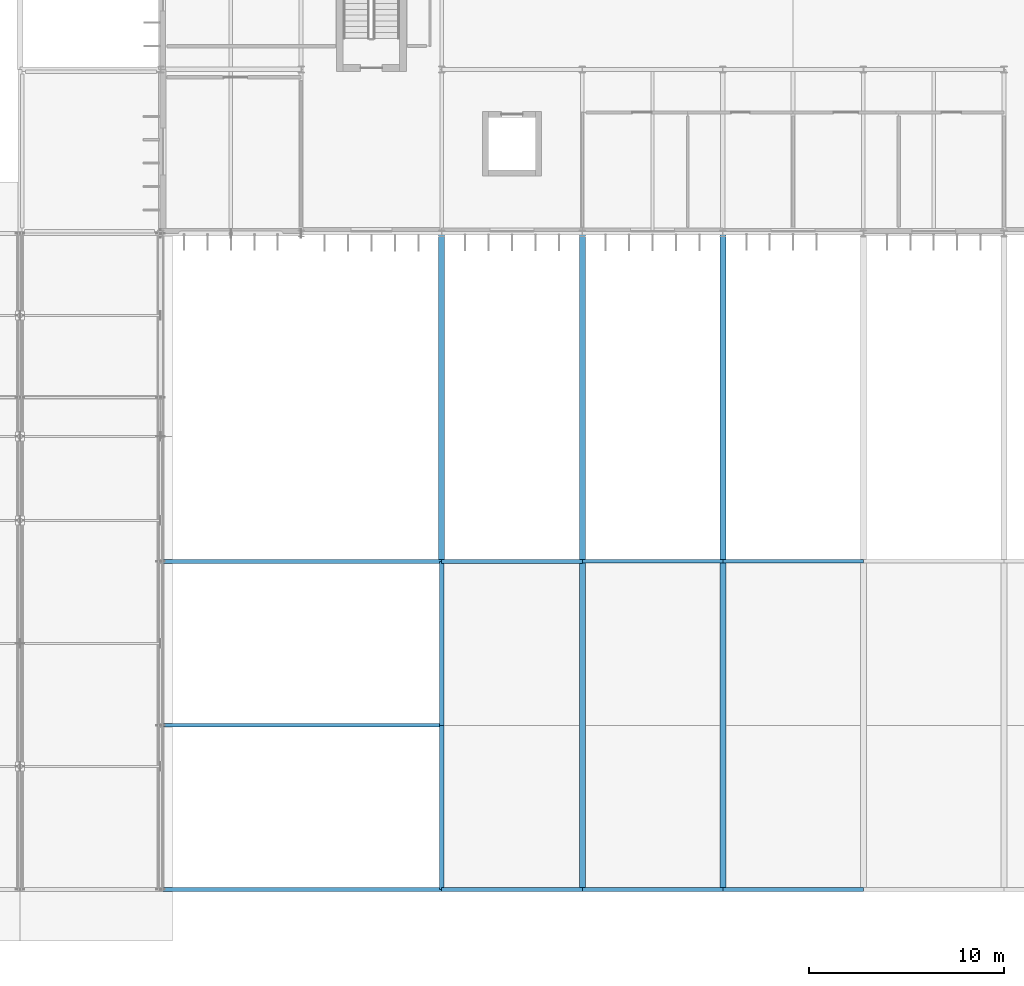
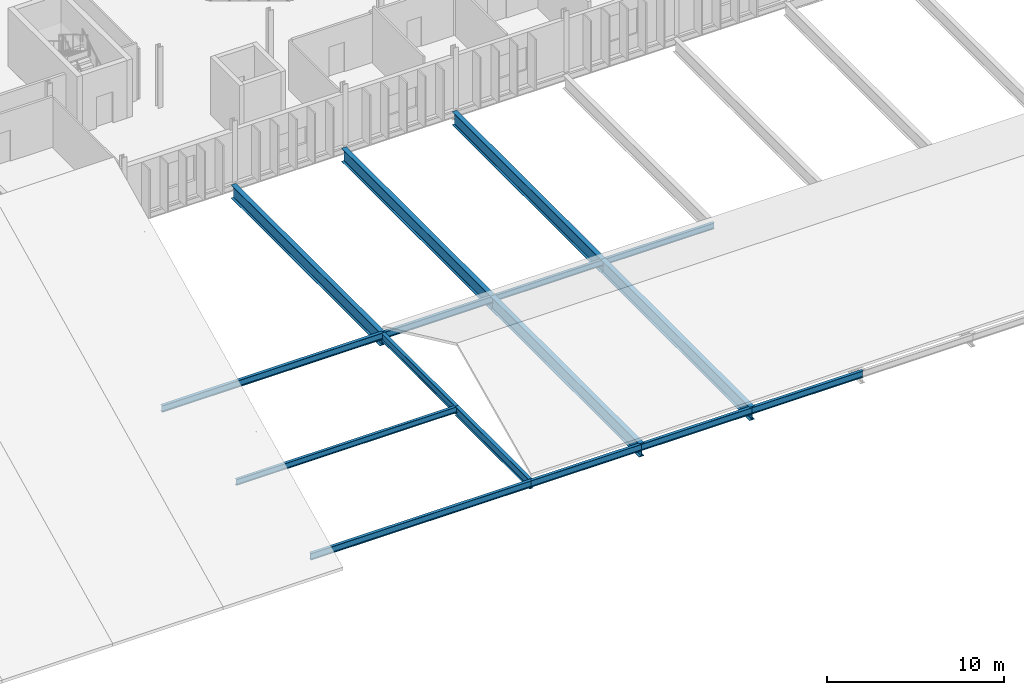
# One storey, part 29 of 99: 16 beams.
"""IFC4 building model written with IfcOpenShell, lengths in metres."""

from ifc_helpers import new_model, si_unit, direction, frame, origin, origin_2d, place, context, subcontext, project, spatial, i_section, extrude, material, material_profile, profile_set, type_object, element, save


model = new_model("IFC4")

# Units and contexts
model_context = context("Model", 3, precision=1e-05, world=origin(), true_north=direction((0.0, 1.0)))
body_context = subcontext(model_context, "Body", "Model", "MODEL_VIEW")
ifc_project = project(units=[si_unit("LENGTHUNIT", "METRE"), si_unit("AREAUNIT", "SQUARE_METRE"), si_unit("VOLUMEUNIT", "CUBIC_METRE"), si_unit("PLANEANGLEUNIT", "RADIAN"), si_unit("MASSUNIT", "GRAM", prefix="KILO")], contexts=[model_context])

# Site, building, storey
site_placement = place(None, origin())
site = spatial("IfcSite", under=ifc_project, at=site_placement, CompositionType="ELEMENT")
building_placement = place(site_placement, origin())
building = spatial("IfcBuilding", under=site, at=building_placement, Name="Qelthora Terrace Specialist Clinic", CompositionType="ELEMENT")
storey_placement = place(building_placement, frame((0.0, 0.0, 9.0)))
storey = spatial("IfcBuildingStorey", under=building, at=storey_placement, Name="L02", CompositionType="ELEMENT", Elevation=9.0)

# Beams
ifc_material = material(Name="Steel S355", Category="steel")
ifc_material_profile_1 = material_profile(ifc_material, i_section(OverallWidth=0.178955078125, OverallDepth=0.409912109375, WebThickness=0.0087890625, FlangeThickness=0.014404296875, FilletRadius=0.011962890625, at=origin_2d()), Name="W410X67")
ifc_profile_set_1 = profile_set([ifc_material_profile_1], Name="Steel S355")
beam_type_1 = type_object("IfcBeamType", Name="BM-W410X67", PredefinedType="BEAM", material=ifc_profile_set_1)
beam_1_placement = place(storey_placement, frame((93.60009765625, 8.39990234375, -0.455078125), z_axis=(1.0, 0.0, 0.0), x_axis=(0.0, 1.0, 0.0)))
element("IfcBeam", 1, at=beam_1_placement, inside=storey, type_object=beam_type_1, Name="Girder BMX-L02-0574", PredefinedType="BEAM", context=body_context, shape_type="SweptSolid", body=[
    extrude(i_section(OverallWidth=0.178955078125, OverallDepth=0.409912109375, WebThickness=0.0087890625, FlangeThickness=0.014404296875, FilletRadius=0.011962890625, at=origin_2d()), origin(), (0.0, 0.0, 1.0), 14.39990234375),
])
beam_2_placement = place(storey_placement, frame((122.39990234375, 16.800048828125, -0.455078125), z_axis=(1.0, 0.0, 0.0), x_axis=(0.0, 1.0, 0.0)))
element("IfcBeam", 2, at=beam_2_placement, inside=storey, type_object=beam_type_1, Name="Girder BMX-L02-0584", PredefinedType="BEAM", context=body_context, shape_type="SweptSolid", body=[
    extrude(i_section(OverallWidth=0.178955078125, OverallDepth=0.409912109375, WebThickness=0.0087890625, FlangeThickness=0.014404296875, FilletRadius=0.011962890625, at=origin_2d()), origin(), (0.0, 0.0, 1.0), 7.2001953125),
])
ifc_material_profile_2 = material_profile(ifc_material, i_section(OverallWidth=0.179931640625, OverallDepth=0.4130859375, WebThickness=0.009765625, FlangeThickness=0.01611328125, FilletRadius=0.011962890625, at=origin_2d()), Name="W410X75")
ifc_profile_set_2 = profile_set([ifc_material_profile_2], Name="Steel S355")
beam_type_2 = type_object("IfcBeamType", Name="BM-W410X75", PredefinedType="BEAM", material=ifc_profile_set_2)
beam_3_placement = place(storey_placement, frame((115.199951171875, 16.800048828125, -0.45654296875), z_axis=(1.0, 0.0, 0.0), x_axis=(0.0, 1.0, 0.0)))
element("IfcBeam", 3, at=beam_3_placement, inside=storey, type_object=beam_type_2, Name="Girder BMX-L02-0583", PredefinedType="BEAM", context=body_context, shape_type="SweptSolid", body=[
    extrude(i_section(OverallWidth=0.179931640625, OverallDepth=0.4130859375, WebThickness=0.009765625, FlangeThickness=0.01611328125, FilletRadius=0.011962890625, at=origin_2d()), origin(), (0.0, 0.0, 1.0), 7.199951171875),
])
ifc_material_profile_3 = material_profile(ifc_material, i_section(OverallWidth=0.19091796875, OverallDepth=0.4599609375, WebThickness=0.010009765625, FlangeThickness=0.01611328125, FilletRadius=0.012939453125, at=origin_2d()), Name="W460X82")
ifc_profile_set_3 = profile_set([ifc_material_profile_3], Name="Steel S355")
beam_type_3 = type_object("IfcBeamType", Name="BM-W460X82", PredefinedType="BEAM", material=ifc_profile_set_3)
beam_4_placement = place(storey_placement, frame((108.0, 16.800048828125, -0.47998046875), z_axis=(1.0, 0.0, 0.0), x_axis=(0.0, 1.0, 0.0)))
element("IfcBeam", 4, at=beam_4_placement, inside=storey, type_object=beam_type_3, Name="Girder BMX-L02-0582", PredefinedType="BEAM", context=body_context, shape_type="SweptSolid", body=[
    extrude(i_section(OverallWidth=0.19091796875, OverallDepth=0.4599609375, WebThickness=0.010009765625, FlangeThickness=0.01611328125, FilletRadius=0.012939453125, at=origin_2d()), origin(), (0.0, 0.0, 1.0), 7.199951171875),
])
ifc_material_profile_4 = material_profile(ifc_material, i_section(OverallWidth=0.193115234375, OverallDepth=0.466064453125, WebThickness=0.011474609375, FlangeThickness=0.01904296875, FilletRadius=0.012939453125, at=origin_2d()), Name="W460X97")
ifc_profile_set_4 = profile_set([ifc_material_profile_4], Name="Steel S355")
beam_type_4 = type_object("IfcBeamType", Name="BM-W460X97", PredefinedType="BEAM", material=ifc_profile_set_4)
beam_5_placement = place(storey_placement, frame((93.60009765625, 16.800048828125, -0.48291015625), z_axis=(1.0, 0.0, 0.0), x_axis=(0.0, 1.0, 0.0)))
element("IfcBeam", 5, at=beam_5_placement, inside=storey, type_object=beam_type_4, Name="Girder BMX-L02-0581", PredefinedType="BEAM", context=body_context, shape_type="SweptSolid", body=[
    extrude(i_section(OverallWidth=0.193115234375, OverallDepth=0.466064453125, WebThickness=0.011474609375, FlangeThickness=0.01904296875, FilletRadius=0.012939453125, at=origin_2d()), origin(), (0.0, 0.0, 1.0), 14.39990234375),
])
ifc_material_profile_5 = material_profile(ifc_material, i_section(OverallWidth=0.2119140625, OverallDepth=0.5439453125, WebThickness=0.01318359375, FlangeThickness=0.021240234375, FilletRadius=0.013916015625, at=origin_2d()), Name="W530X123")
ifc_profile_set_5 = profile_set([ifc_material_profile_5], Name="Steel S355")
beam_type_5 = type_object("IfcBeamType", Name="BM-W530X123", PredefinedType="BEAM", material=ifc_profile_set_5)
beam_6_placement = place(storey_placement, frame((108.0, 8.39990234375, -0.52197265625), z_axis=(0.0, 1.0, 0.0), x_axis=(-1.0, 0.0, 0.0)))
element("IfcBeam", 6, at=beam_6_placement, inside=storey, type_object=beam_type_5, Name="Girder BMY-L02-0855", PredefinedType="BEAM", context=body_context, shape_type="SweptSolid", body=[
    extrude(i_section(OverallWidth=0.2119140625, OverallDepth=0.5439453125, WebThickness=0.01318359375, FlangeThickness=0.021240234375, FilletRadius=0.013916015625, at=origin_2d()), origin(), (0.0, 0.0, 1.0), 8.400146484375),
])
ifc_material_profile_6 = material_profile(ifc_material, i_section(OverallWidth=0.22998046875, OverallDepth=0.616943359375, WebThickness=0.01318359375, FlangeThickness=0.022216796875, FilletRadius=0.01611328125, at=origin_2d()), Name="W610X140")
ifc_profile_set_6 = profile_set([ifc_material_profile_6], Name="Steel S355")
beam_type_6 = type_object("IfcBeamType", Name="BM-W610X140", PredefinedType="BEAM", material=ifc_profile_set_6)
beam_7_placement = place(storey_placement, frame((108.0, 0.0, -0.55859375), z_axis=(0.0, 1.0, 0.0), x_axis=(-1.0, 0.0, 0.0)))
element("IfcBeam", 7, at=beam_7_placement, inside=storey, type_object=beam_type_6, Name="Girder BMY-L02-0854", PredefinedType="BEAM", context=body_context, shape_type="SweptSolid", body=[
    extrude(i_section(OverallWidth=0.22998046875, OverallDepth=0.616943359375, WebThickness=0.01318359375, FlangeThickness=0.022216796875, FilletRadius=0.01611328125, at=origin_2d()), origin(), (0.0, 0.0, 1.0), 8.39990234375),
])
ifc_material_profile_7 = material_profile(ifc_material, i_section(OverallWidth=0.30810546875, OverallDepth=0.927001953125, WebThickness=0.019287109375, FlangeThickness=0.031982421875, FilletRadius=0.02197265625, at=origin_2d()), Name="W920X289")
ifc_profile_set_7 = profile_set([ifc_material_profile_7], Name="Steel S355")
beam_type_7 = type_object("IfcBeamType", Name="BM-W920X289", PredefinedType="BEAM", material=ifc_profile_set_7)
for number, where, z_axis, x_axis, name in (
    (8, (108.0, 16.800048828125, -0.71337890625), (0.0, 1.0, 0.0), (-1.0, 0.0, 0.0), "Girder BMY-L02-0856"),
    (9, (115.199951171875, 0.0, -0.71337890625), (0.0, 1.0, 0.0), (-1.0, 0.0, 0.0), "Girder BMY-L02-0866"),
    (10, (115.199951171875, 16.800048828125, -0.71337890625), (0.0, 1.0, 0.0), (-1.0, 0.0, 0.0), "Girder BMY-L02-0867"),
    (11, (122.39990234375, 0.0, -0.71337890625), (0.0, 1.0, 0.0), (-1.0, 0.0, 0.0), "Girder BMY-L02-0872"),
    (12, (122.39990234375, 16.800048828125, -0.71337890625), (0.0, 1.0, 0.0), (-1.0, 0.0, 0.0), "Girder BMY-L02-0873"),
):
    element("IfcBeam", number, at=place(storey_placement, frame(where, z_axis=z_axis, x_axis=x_axis)), inside=storey, type_object=beam_type_7, Name=name, PredefinedType="BEAM", context=body_context, shape_type="SweptSolid", body=[
        extrude(i_section(OverallWidth=0.30810546875, OverallDepth=0.927001953125, WebThickness=0.019287109375, FlangeThickness=0.031982421875, FilletRadius=0.02197265625, at=origin_2d()), origin(), (0.0, 0.0, 1.0), 16.800048828125),
    ])
ifc_material_profile_8 = material_profile(ifc_material, i_section(OverallWidth=0.19091796875, OverallDepth=0.4599609375, WebThickness=0.010009765625, FlangeThickness=0.01611328125, FilletRadius=0.012939453125, at=origin_2d()), Name="W460X82")
ifc_profile_set_8 = profile_set([ifc_material_profile_8], Name="Steel S355")
beam_type_8 = type_object("IfcBeamType", Name="SPD-W460X82", PredefinedType="SPANDREL", material=ifc_profile_set_8)
beam_8_placement = place(storey_placement, frame((93.60009765625, 0.0, -0.47998046875), z_axis=(1.0, 0.0, 0.0), x_axis=(0.0, 1.0, 0.0)))
element("IfcBeam", 13, at=beam_8_placement, inside=storey, type_object=beam_type_8, Name="Girder BMX-L02-0561", PredefinedType="SPANDREL", context=body_context, shape_type="SweptSolid", body=[
    extrude(i_section(OverallWidth=0.19091796875, OverallDepth=0.4599609375, WebThickness=0.010009765625, FlangeThickness=0.01611328125, FilletRadius=0.012939453125, at=origin_2d()), origin(), (0.0, 0.0, 1.0), 14.39990234375),
])
for number, where, z_axis, x_axis, name in (
    (14, (108.0, 0.0, -0.47998046875), (1.0, 0.0, 0.0), (0.0, 1.0, 0.0), "Girder BMX-L02-0562"),
    (15, (115.199951171875, 0.0, -0.47998046875), (1.0, 0.0, 0.0), (0.0, 1.0, 0.0), "Girder BMX-L02-0563"),
):
    element("IfcBeam", number, at=place(storey_placement, frame(where, z_axis=z_axis, x_axis=x_axis)), inside=storey, type_object=beam_type_8, Name=name, PredefinedType="SPANDREL", context=body_context, shape_type="SweptSolid", body=[
        extrude(i_section(OverallWidth=0.19091796875, OverallDepth=0.4599609375, WebThickness=0.010009765625, FlangeThickness=0.01611328125, FilletRadius=0.012939453125, at=origin_2d()), origin(), (0.0, 0.0, 1.0), 7.199951171875),
    ])
beam_9_placement = place(storey_placement, frame((122.39990234375, 0.0, -0.47998046875), z_axis=(1.0, 0.0, 0.0), x_axis=(0.0, 1.0, 0.0)))
element("IfcBeam", 16, at=beam_9_placement, inside=storey, type_object=beam_type_8, Name="Girder BMX-L02-0564", PredefinedType="SPANDREL", context=body_context, shape_type="SweptSolid", body=[
    extrude(i_section(OverallWidth=0.19091796875, OverallDepth=0.4599609375, WebThickness=0.010009765625, FlangeThickness=0.01611328125, FilletRadius=0.012939453125, at=origin_2d()), origin(), (0.0, 0.0, 1.0), 7.2001953125),
])

save(model, "model.ifc")
